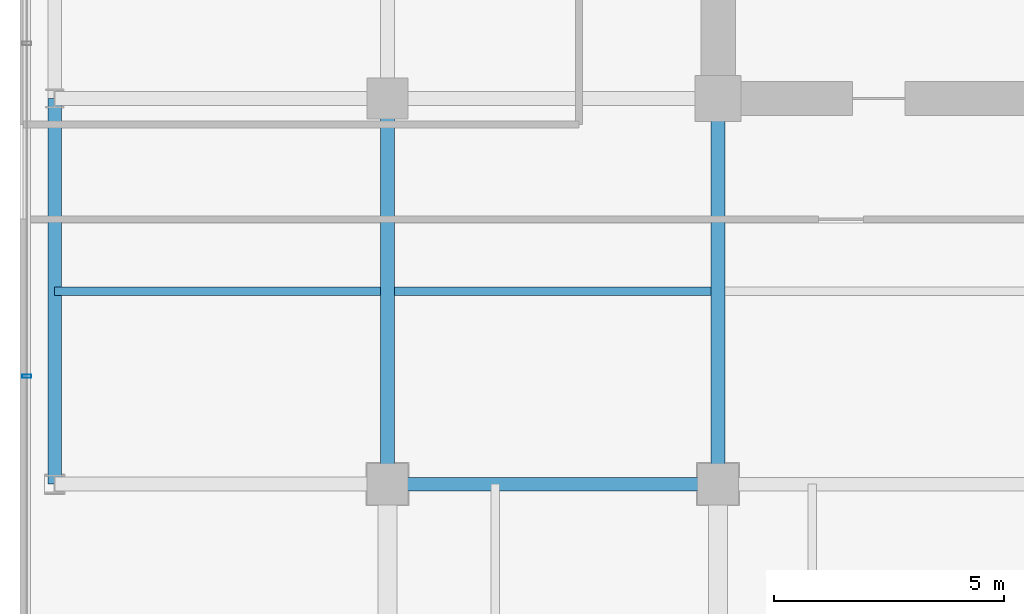
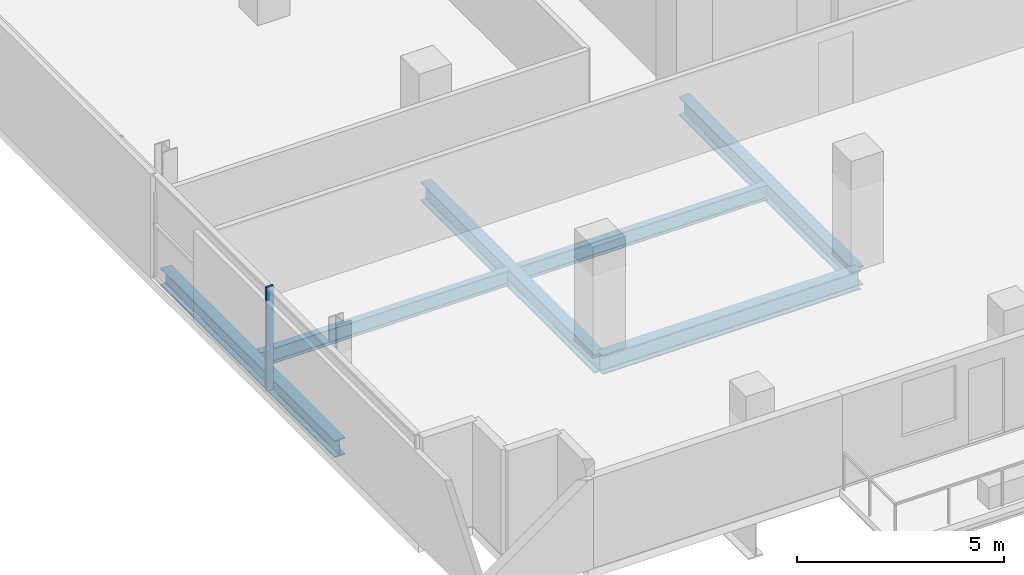
# One storey, part 4 of 27: 6 beams, 1 member, 1 element without a shape of its own.
"""IFC4 building model written with IfcOpenShell, lengths in metres."""

from ifc_helpers import new_model, si_unit, direction, frame, origin, origin_2d, place, context, subcontext, project, spatial, hollow_rectangle, i_section, extrude, source, transform, mapped, material, layer, layer_set, material_profile, profile_set, type_object, element, aggregate, save


model = new_model("IFC4")

# Units and contexts
model_context = context("Model", 3, precision=1e-05, world=origin(), true_north=direction((0.0, 1.0)))
body_context = subcontext(model_context, "Body", "Model", "MODEL_VIEW")
ifc_project = project(units=[si_unit("LENGTHUNIT", "METRE"), si_unit("AREAUNIT", "SQUARE_METRE"), si_unit("VOLUMEUNIT", "CUBIC_METRE"), si_unit("PLANEANGLEUNIT", "RADIAN"), si_unit("MASSUNIT", "GRAM", prefix="KILO")], contexts=[model_context])

# Site, building, storey
site_placement = place(None, origin())
site = spatial("IfcSite", under=ifc_project, at=site_placement, CompositionType="ELEMENT")
building_placement = place(site_placement, origin())
building = spatial("IfcBuilding", under=site, at=building_placement, Name="Zarnakvel Exchange Tower", CompositionType="ELEMENT")
storey_placement = place(building_placement, frame((0.0, 0.0, 86.800048828125)))
storey = spatial("IfcBuildingStorey", under=building, at=storey_placement, Name="L23", CompositionType="ELEMENT", Elevation=86.800048828125)

# Beams
ifc_material_1 = material(Name="Steel S355", Category="steel")
ifc_material_profile_1 = material_profile(ifc_material_1, i_section(OverallWidth=0.18994140625, OverallDepth=0.449951171875, WebThickness=0.009521484375, FlangeThickness=0.0146484375, FilletRadius=0.02099609375, at=origin_2d()))
ifc_profile_set_1 = profile_set([ifc_material_profile_1], Name="Steel S355")
beam_type_1 = type_object("IfcBeamType", Name="B-05", PredefinedType="JOIST", material=ifc_profile_set_1)
beam_1_placement = place(storey_placement, frame((-28.85009765625, -5.39990234375, -0.47509765625), z_axis=(1.0, 0.0, 0.0), x_axis=(0.0, 1.0, 0.0)))
element("IfcBeam", 1, at=beam_1_placement, inside=storey, type_object=beam_type_1, Name="L23 Composite Floor Secondary Joist", PredefinedType="JOIST", context=body_context, shape_type="SweptSolid", body=[
    extrude(i_section(OverallWidth=0.18994140625, OverallDepth=0.449951171875, WebThickness=0.009521484375, FlangeThickness=0.0146484375, FilletRadius=0.02099609375, at=origin_2d()), origin(), (0.0, 0.0, 1.0), 7.10009765625),
])
beam_2_placement = place(storey_placement, frame((-21.449951171875, -5.39990234375, -0.47509765625), z_axis=(1.0, 0.0, 0.0), x_axis=(0.0, 1.0, 0.0)))
element("IfcBeam", 2, at=beam_2_placement, inside=storey, type_object=beam_type_1, Name="L23 Composite Floor Secondary Joist", PredefinedType="JOIST", context=body_context, shape_type="SweptSolid", body=[
    extrude(i_section(OverallWidth=0.18994140625, OverallDepth=0.449951171875, WebThickness=0.009521484375, FlangeThickness=0.0146484375, FilletRadius=0.02099609375, at=origin_2d()), origin(), (0.0, 0.0, 1.0), 6.89990234375),
])
ifc_material_profile_2 = material_profile(ifc_material_1, i_section(OverallWidth=0.300048828125, OverallDepth=0.550048828125, WebThickness=0.014892578125, FlangeThickness=0.029052734375, FilletRadius=0.027099609375, at=origin_2d()))
ifc_profile_set_2 = profile_set([ifc_material_profile_2], Name="Steel S355")
beam_type_2 = type_object("IfcBeamType", Name="G-05", PredefinedType="BEAM", material=ifc_profile_set_2)
beam_3_placement = place(storey_placement, frame((-21.60009765625, -9.60009765625, -0.525146484375), z_axis=(1.0, 0.0, 0.0), x_axis=(0.0, 1.0, 0.0)))
element("IfcBeam", 3, at=beam_3_placement, inside=storey, type_object=beam_type_2, Name="L23 Tower E-W Frame Beam", PredefinedType="BEAM", context=body_context, shape_type="SweptSolid", body=[
    extrude(i_section(OverallWidth=0.300048828125, OverallDepth=0.550048828125, WebThickness=0.014892578125, FlangeThickness=0.029052734375, FilletRadius=0.027099609375, at=origin_2d()), origin(), (0.0, 0.0, 1.0), 7.2001953125),
])
for number, where, z_axis, x_axis, name in (
    (4, (-21.60009765625, -9.60009765625, -0.525146484375), (0.0, 1.0, 0.0), (-1.0, 0.0, 0.0), "L23 Tower N-S Frame Beam"),
    (5, (-14.39990234375, -9.60009765625, -0.525146484375), (0.0, 1.0, 0.0), (-1.0, 0.0, 0.0), "L23 Tower N-S Frame Beam"),
):
    element("IfcBeam", number, at=place(storey_placement, frame(where, z_axis=z_axis, x_axis=x_axis)), inside=storey, type_object=beam_type_2, Name=name, PredefinedType="BEAM", context=body_context, shape_type="SweptSolid", body=[
        extrude(i_section(OverallWidth=0.300048828125, OverallDepth=0.550048828125, WebThickness=0.014892578125, FlangeThickness=0.029052734375, FilletRadius=0.027099609375, at=origin_2d()), origin(), (0.0, 0.0, 1.0), 8.400146484375),
    ])
ifc_material_profile_3 = material_profile(ifc_material_1, i_section(OverallWidth=0.300048828125, OverallDepth=0.5, WebThickness=0.014404296875, FlangeThickness=0.028076171875, FilletRadius=0.027099609375, at=origin_2d()))
ifc_profile_set_3 = profile_set([ifc_material_profile_3], Name="Steel S355")
beam_type_3 = type_object("IfcBeamType", Name="SP-02", PredefinedType="SPANDREL", material=ifc_profile_set_3)
beam_4_placement = place(storey_placement, frame((-28.85009765625, -9.60009765625, -0.5), z_axis=(0.0, 1.0, 0.0), x_axis=(-1.0, 0.0, 0.0)))
element("IfcBeam", 6, at=beam_4_placement, inside=storey, type_object=beam_type_3, Name="L23 Tower N-S Frame Beam", PredefinedType="SPANDREL", context=body_context, shape_type="SweptSolid", body=[
    extrude(i_section(OverallWidth=0.300048828125, OverallDepth=0.5, WebThickness=0.014404296875, FlangeThickness=0.028076171875, FilletRadius=0.027099609375, at=origin_2d()), origin(), (0.0, 0.0, 1.0), 8.400146484375),
])

# Curtain wall, member
ifc_material_2 = material(Name="Architectural Bronze Anodised Aluminium", Category="aluminium")
ifc_layer = layer(ifc_material_2, 0.199951171875)
ifc_layer_set = layer_set([ifc_layer], Name="Architectural Bronze Anodised Aluminium")
curtain_wall_type = type_object("IfcCurtainWallType", Name="CW-04", PredefinedType="NOTDEFINED", material=ifc_layer_set)
curtain_wall_placement = place(storey_placement, origin())
curtain_wall = element("IfcCurtainWall", 7, at=curtain_wall_placement, inside=storey, type_object=curtain_wall_type, Name="L23 Curtain Wall CW-L23-W1 (CW-04)", PredefinedType="NOTDEFINED")
ifc_material_profile_4 = material_profile(ifc_material_2, hollow_rectangle(XDim=0.199951171875, YDim=0.074951171875, WallThickness=0.0048828125, at=origin_2d()))
ifc_profile_set_4 = profile_set([ifc_material_profile_4], Name="Architectural Bronze Anodised Aluminium")
member_type = type_object("IfcMemberType", Name="CWM-04", PredefinedType="MULLION", material=ifc_profile_set_4)
shared_shape = source(origin(), body_context, "Body", "SweptSolid", [
    extrude(hollow_rectangle(XDim=0.199951171875, YDim=0.074951171875, WallThickness=0.0048828125, at=origin_2d()), origin(), (0.0, 0.0, 1.0), 3.054931640625),
])
member_placement = place(storey_placement, frame((-29.4599609375, -7.25, 0.0), z_axis=(0.0, 0.0, 1.0), x_axis=(-1.0, 0.0, 0.0)))
member = element("IfcMember", 8, at=member_placement, type_object=member_type, Name="CW-04 mullion 2", PredefinedType="MULLION", context=body_context, shape_type="MappedRepresentation", body=[
    mapped(shared_shape, transform((0.0, 0.0, 0.0), x_axis=(1.0, 0.0, 0.0), y_axis=(0.0, 1.0, 0.0), z_axis=(0.0, 0.0, 1.0), scale=1.0)),
])
aggregate(curtain_wall, [member])

save(model, "model.ifc")
